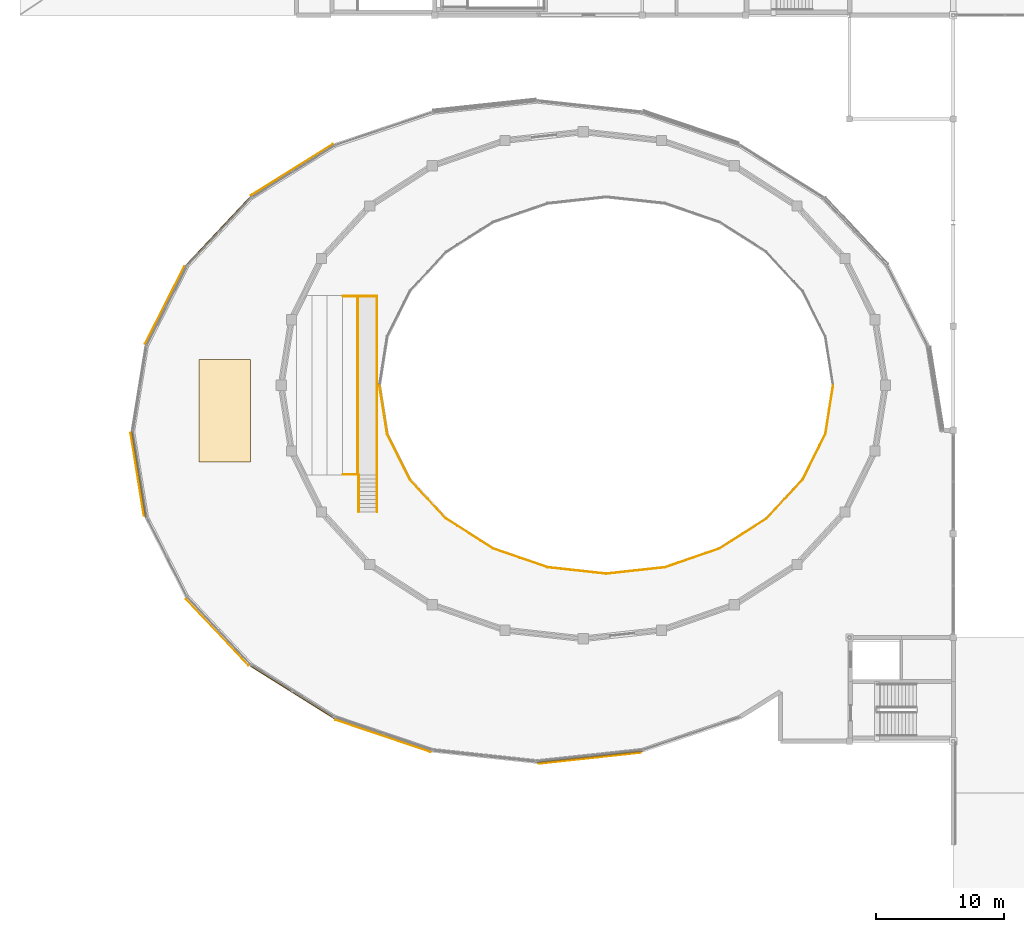
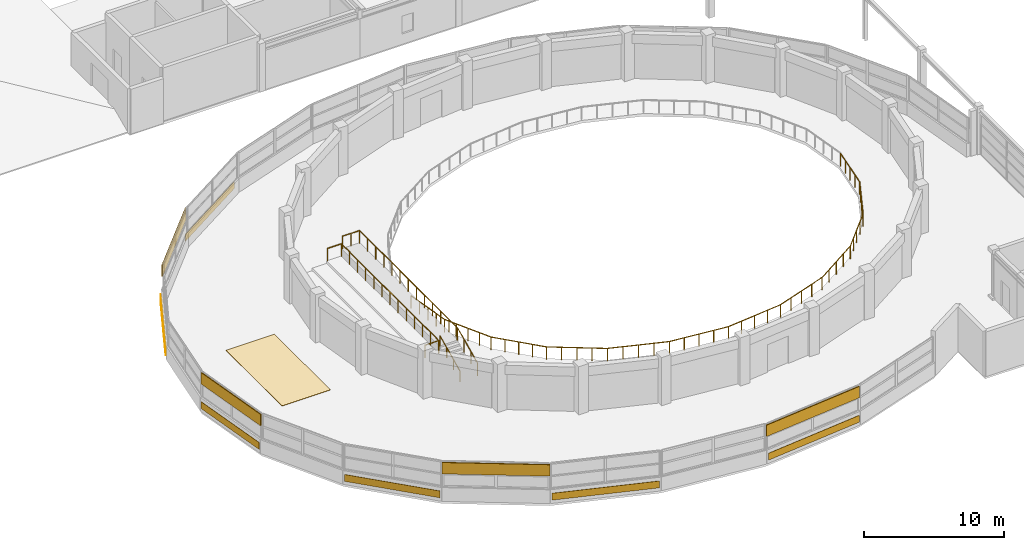
# One storey, part 47 of 54: 7 coverings, 5 railings, 4 shading devices.
"""IFC4 building model written with IfcOpenShell, lengths in metres."""

import ifcopenshell
import ifcopenshell.guid

model = None  # the IFC model being written
_history = None  # IfcOwnerHistory: only IFC2X3 demands one
_inside = {}  # id of a spatial element -> (the spatial element, [elements in it])
_under = {}  # id of a project, library or spatial element -> (it, [spatial elements below it])
_declared = {}  # id of a project -> (the project, [libraries it declares])
_typed = {}  # id of a type object -> (the type object, [elements of that type])
_made_of = {}  # id of a material, layer set ... -> (it, [elements and type objects made of it])


def new_model(schema):
    """Start an empty IFC model of exactly this schema.

    Asked for "IFC4X3", IfcOpenShell would pick the latest addendum, in which some entities
    have other attributes; the version numbers below select the first issue.
    IFC2X3 requires an IfcOwnerHistory on every rooted entity: one is made here for all.
    """
    global model, _history
    if schema == "IFC4X3":
        model = ifcopenshell.file(schema_version=(4, 3, 0, 0))
    else:
        model = ifcopenshell.file(schema=schema)
    _inside.clear()
    _under.clear()
    _declared.clear()
    _typed.clear()
    _made_of.clear()
    _history = None
    if model.schema == "IFC2X3":
        org = make("IfcOrganization", Name="unknown")
        user = make(
            "IfcPersonAndOrganization",
            ThePerson=make("IfcPerson", FamilyName="unknown"),
            TheOrganization=org,
        )
        app = make(
            "IfcApplication",
            ApplicationDeveloper=org,
            Version="unknown",
            ApplicationFullName="unknown",
            ApplicationIdentifier="unknown",
        )
        _history = make(
            "IfcOwnerHistory",
            OwningUser=user,
            OwningApplication=app,
            ChangeAction="ADDED",
            CreationDate=0,
        )
    return model


def make(cls, **values):
    """One entity of the class cls with the attributes given. An attribute that is None is left unset."""
    return model.create_entity(
        cls, **{name: value for name, value in values.items() if value is not None}
    )


def rooted(cls, **values):
    """An entity with a GlobalId (a new one), such as an element, a storey or a relation."""
    return make(cls, GlobalId=ifcopenshell.guid.new(), OwnerHistory=_history, **values)


def si_unit(unit_type, name, prefix=None):
    """IfcSIUnit, for example si_unit("LENGTHUNIT", "METRE", prefix="MILLI")."""
    return make("IfcSIUnit", UnitType=unit_type, Prefix=prefix, Name=name)


def assignment(units):
    """IfcUnitAssignment: the units of a project."""
    return None if units is None else make("IfcUnitAssignment", Units=units)


def point(xyz):
    """IfcCartesianPoint."""
    return None if xyz is None else make("IfcCartesianPoint", Coordinates=xyz)


def direction(xyz):
    """IfcDirection."""
    return None if xyz is None else make("IfcDirection", DirectionRatios=xyz)


def frame(location, z_axis=None, x_axis=None):
    """IfcAxis2Placement3D, a coordinate frame: its origin and axes. An axis left out is left unset."""
    return make(
        "IfcAxis2Placement3D",
        Location=point(location),
        Axis=direction(z_axis),
        RefDirection=direction(x_axis),
    )


def frame_2d(location, x_axis=None):
    """IfcAxis2Placement2D, a coordinate frame in the plane: its origin and x axis."""
    return make(
        "IfcAxis2Placement2D", Location=point(location), RefDirection=direction(x_axis)
    )


def origin():
    """The frame at (0, 0, 0) with its axes left unset."""
    return frame((0.0, 0.0, 0.0))


def origin_2d():
    """The frame at (0, 0) in the plane with its x axis left unset."""
    return frame_2d((0.0, 0.0))


def place(relative_to, where):
    """IfcLocalPlacement: puts the frame where relative to a parent placement (None: the world)."""
    return make(
        "IfcLocalPlacement", PlacementRelTo=relative_to, RelativePlacement=where
    )


def context(
    kind, dimensions, precision=None, world=None, true_north=None, identifier=None
):
    """IfcGeometricRepresentationContext, for example the 3D "Model" context."""
    return make(
        "IfcGeometricRepresentationContext",
        ContextIdentifier=identifier,
        ContextType=kind,
        CoordinateSpaceDimension=dimensions,
        Precision=precision,
        WorldCoordinateSystem=world,
        TrueNorth=true_north,
    )


def subcontext(parent, identifier, kind, view, scale=None):
    """IfcGeometricRepresentationSubContext, for example "Body" below "Model"."""
    return make(
        "IfcGeometricRepresentationSubContext",
        ContextIdentifier=identifier,
        ContextType=kind,
        ParentContext=parent,
        TargetScale=scale,
        TargetView=view,
    )


def project(units=None, contexts=None):
    """IfcProject with its units and contexts."""
    return rooted(
        "IfcProject",
        Name="project",
        RepresentationContexts=contexts,
        UnitsInContext=assignment(units),
    )


def spatial(cls, under=None, at=None, **own):
    """A site, building, storey or space (cls), placed at a placement, below another one or the project."""
    s = rooted(cls, ObjectPlacement=at, **own)
    if under is not None:
        _under.setdefault(under.id(), (under, []))[1].append(s)
    return s


def profile(cls, at=None, kind="AREA", **sizes):
    """A parametric profile (cls). Its sizes go by their IFC names, for example OverallWidth=200.0."""
    return make(cls, ProfileType=kind, Position=at, **sizes)


def rectangle(**sizes):
    """IfcRectangleProfileDef."""
    return profile("IfcRectangleProfileDef", **sizes)


def circle(**sizes):
    """IfcCircleProfileDef."""
    return profile("IfcCircleProfileDef", **sizes)


def extrude(swept, where, along, depth):
    """IfcExtrudedAreaSolid: the profile swept, set in the frame where, extruded along a direction by depth."""
    return make(
        "IfcExtrudedAreaSolid",
        SweptArea=swept,
        Position=where,
        ExtrudedDirection=direction(along),
        Depth=depth,
    )


def shape(context_of_items, identifier, shape_type, items):
    """IfcShapeRepresentation: the items that make up one representation, for example the "Body"."""
    return make(
        "IfcShapeRepresentation",
        ContextOfItems=context_of_items,
        RepresentationIdentifier=identifier,
        RepresentationType=shape_type,
        Items=items,
    )


def material(Name=None, Category=None):
    """IfcMaterial."""
    return make("IfcMaterial", Name=Name, Category=Category)


def layer(
    of_material, thickness, ventilated=None, Name=None, Category=None, Priority=None
):
    """IfcMaterialLayer: one layer of a wall or slab, of a material (None: an air gap)."""
    return make(
        "IfcMaterialLayer",
        Material=of_material,
        LayerThickness=thickness,
        IsVentilated=ventilated,
        Name=Name,
        Category=Category,
        Priority=Priority,
    )


def layer_set(layers, Name=None):
    """IfcMaterialLayerSet."""
    return make("IfcMaterialLayerSet", MaterialLayers=layers, LayerSetName=Name)


def made_of(thing, what):
    """Note that an element or type object is made of a material, layer set ...; save() writes the relation."""
    if what is not None:
        _made_of.setdefault(what.id(), (what, []))[1].append(thing)
    return thing


def type_object(cls, material=None, **own):
    """A type object (cls), such as IfcWallType, which elements share."""
    return made_of(rooted(cls, **own), material)


def element(
    cls,
    number,
    at=None,
    inside=None,
    cuts=None,
    type_object=None,
    material=None,
    context=None,
    identifier="Body",
    shape_type=None,
    held_by="IfcProductDefinitionShape",
    body=None,
    shapes=None,
    **own,
):
    """One element of the class cls, such as IfcWall. Its Tag is "e" and its number.

    at: its placement. inside: the storey or other place that contains it. cuts: it is an
    opening in that element (IfcRelVoidsElement). A single representation is given by context,
    identifier, shape_type and body (its items); several are given by shapes. held_by: the class
    of the entity that holds the representations. save() writes the other relations.
    """
    e = rooted(cls, Tag="e%d" % number, ObjectPlacement=at, **own)
    if body is not None:
        shapes = [shape(context, identifier, shape_type, body)]
    if shapes is not None:
        e.Representation = make(held_by, Representations=shapes)
    if inside is not None:
        _inside.setdefault(inside.id(), (inside, []))[1].append(e)
    if cuts is not None:
        rooted(
            "IfcRelVoidsElement", RelatingBuildingElement=cuts, RelatedOpeningElement=e
        )
    if type_object is not None:
        _typed.setdefault(type_object.id(), (type_object, []))[1].append(e)
    return made_of(e, material)


def aggregate(whole, parts):
    """IfcRelAggregates: a whole, such as a stair, and the parts it consists of."""
    return rooted("IfcRelAggregates", RelatingObject=whole, RelatedObjects=parts)


def save(model, path):
    """Write the relations noted so far, then the file.

    IfcRelAggregates (storeys below a building ...), IfcRelContainedInSpatialStructure (elements
    in a storey), IfcRelDefinesByType, IfcRelAssociatesMaterial and IfcRelDeclares: one each for
    every whole, place, type object, material and project.
    """
    for whole, parts in _under.values():
        aggregate(whole, parts)
    for where, things in _inside.values():
        rooted(
            "IfcRelContainedInSpatialStructure",
            RelatedElements=things,
            RelatingStructure=where,
        )
    for kind, things in _typed.values():
        rooted("IfcRelDefinesByType", RelatedObjects=things, RelatingType=kind)
    for what, things in _made_of.values():
        rooted("IfcRelAssociatesMaterial", RelatedObjects=things, RelatingMaterial=what)
    for by, libraries in _declared.values():
        rooted("IfcRelDeclares", RelatingContext=by, RelatedDefinitions=libraries)
    model.write(path)


model = new_model("IFC4")

# Units and contexts
model_context = context("Model", 3, precision=1e-05, world=origin(), true_north=direction((0.0, 1.0)))
body_context = subcontext(model_context, "Body", "Model", "MODEL_VIEW")
ifc_project = project(units=[si_unit("LENGTHUNIT", "METRE"), si_unit("AREAUNIT", "SQUARE_METRE"), si_unit("VOLUMEUNIT", "CUBIC_METRE"), si_unit("PLANEANGLEUNIT", "RADIAN"), si_unit("MASSUNIT", "GRAM", prefix="KILO")], contexts=[model_context])

# Site, building, storey
site_placement = place(None, origin())
site = spatial("IfcSite", under=ifc_project, at=site_placement, CompositionType="ELEMENT")
building_placement = place(site_placement, origin())
building = spatial("IfcBuilding", under=site, at=building_placement, Name="Parian Resonance Hall", CompositionType="ELEMENT")
storey_placement = place(building_placement, frame((0.0, 0.0, 15.0)))
storey = spatial("IfcBuildingStorey", under=building, at=storey_placement, Name="L03", CompositionType="ELEMENT", Elevation=15.0)

# Coverings
ifc_material_1 = material(Name="Cebu marble-chip lime terrazzo flooring", Category="masonry")
ifc_layer_1 = layer(ifc_material_1, 0.030029296875)
ifc_layer_set_1 = layer_set([ifc_layer_1], Name="Cebu marble-chip lime terrazzo flooring")
covering_type_1 = type_object("IfcCoveringType", Name="COV-FLOOR-TERRAZZO", PredefinedType="FLOORING", material=ifc_layer_set_1)
covering_1_placement = place(storey_placement, frame((16.0, 42.0, 0.0), z_axis=(0.0, 0.0, 1.0), x_axis=(1.0, 0.0, 0.0)))
element("IfcCovering", 1, at=covering_1_placement, inside=storey, type_object=covering_type_1, Name="Ring 3 Panorama Foyer terrazzo flooring", PredefinedType="FLOORING", context=body_context, shape_type="SweptSolid", body=[
    extrude(rectangle(XDim=4.0, YDim=8.0, at=origin_2d()), origin(), (0.0, 0.0, 1.0), 0.030029296875),
])
ifc_material_2 = material(Name="Polychrome trencadis ceramic mosaic cladding")
ifc_layer_2 = layer(ifc_material_2, 0.030029296875)
ifc_layer_set_2 = layer_set([ifc_layer_2], Name="Polychrome trencadis ceramic mosaic cladding")
covering_type_2 = type_object("IfcCoveringType", Name="COV-MOSAIC-CLAD", PredefinedType="CLADDING", material=ifc_layer_set_2)
covering_2_placement = place(storey_placement, frame((21.2353515625, 60.8408203125, 0.300048828125), z_axis=(0.0, 0.0, 1.0), x_axis=(0.847431550903, 0.530904668029, 0.0)))
element("IfcCovering", 2, at=covering_2_placement, inside=storey, type_object=covering_type_2, Name="Polychrome ceramic mosaic frieze L03-065", PredefinedType="CLADDING", context=body_context, shape_type="SweptSolid", body=[
    extrude(rectangle(XDim=7.52294921875, YDim=0.030029296875, at=origin_2d()), origin(), (0.0, 0.0, 1.0), 0.60009765625),
])
covering_3_placement = place(storey_placement, frame((11.300048828125, 50.267578125, 0.300048828125), z_axis=(0.0, 0.0, 1.0), x_axis=(0.452439378747, 0.89179516065, 0.0)))
element("IfcCovering", 3, at=covering_3_placement, inside=storey, type_object=covering_type_2, Name="Polychrome ceramic mosaic frieze L03-066", PredefinedType="CLADDING", context=body_context, shape_type="SweptSolid", body=[
    extrude(rectangle(XDim=6.777587890625, YDim=0.030029296875, at=origin_2d()), origin(), (0.0, 0.0, 1.0), 0.60009765625),
])
covering_4_placement = place(storey_placement, frame((9.16650390625, 37.03369140625, 0.300048828125), z_axis=(0.0, 0.0, 1.0), x_axis=(-0.159186828447, 0.987248476144, 0.0)))
element("IfcCovering", 4, at=covering_4_placement, inside=storey, type_object=covering_type_2, Name="Polychrome ceramic mosaic frieze L03-067", PredefinedType="CLADDING", context=body_context, shape_type="SweptSolid", body=[
    extrude(rectangle(XDim=6.563720703125, YDim=0.030029296875, at=origin_2d()), origin(), (0.0, 0.0, 1.0), 0.60009765625),
])
covering_5_placement = place(storey_placement, frame((15.417724609375, 24.708984375, 0.300048828125), z_axis=(0.0, 0.0, 1.0), x_axis=(-0.684838405716, 0.728694969144, 0.0)))
element("IfcCovering", 5, at=covering_5_placement, inside=storey, type_object=covering_type_2, Name="Polychrome ceramic mosaic frieze L03-068", PredefinedType="CLADDING", context=body_context, shape_type="SweptSolid", body=[
    extrude(rectangle(XDim=7.1328125, YDim=0.030029296875, at=origin_2d()), origin(), (0.0, 0.0, 1.0), 0.60009765625),
])
covering_6_placement = place(storey_placement, frame((28.35498046875, 16.60302734375, 0.300048828125), z_axis=(0.0, 0.0, 1.0), x_axis=(-0.947295858984, 0.320360040505, 0.0)))
element("IfcCovering", 6, at=covering_6_placement, inside=storey, type_object=covering_type_2, Name="Polychrome ceramic mosaic frieze L03-069", PredefinedType="CLADDING", context=body_context, shape_type="SweptSolid", body=[
    extrude(rectangle(XDim=7.84521484375, YDim=0.030029296875, at=origin_2d()), origin(), (0.0, 0.0, 1.0), 0.60009765625),
])
covering_7_placement = place(storey_placement, frame((44.5078125, 14.866455078125, 0.300048828125), z_axis=(0.0, 0.0, 1.0), x_axis=(-0.994272845588, -0.106871457957, 0.0)))
element("IfcCovering", 7, at=covering_7_placement, inside=storey, type_object=covering_type_2, Name="Polychrome ceramic mosaic frieze L03-070", PredefinedType="CLADDING", context=body_context, shape_type="SweptSolid", body=[
    extrude(rectangle(XDim=8.02587890625, YDim=0.030029296875, at=origin_2d()), origin(), (0.0, 0.0, 1.0), 0.60009765625),
])

# Railings
ifc_material_3 = material(Name="Patinated bronze whiplash metalwork")
railing_type_1 = type_object("IfcRailingType", Name="RAIL-HALL-BAL-1120", PredefinedType="BALUSTRADE", material=ifc_material_3)
railing_1_placement = place(storey_placement, frame((27.8798828125, 37.0400390625, 1.5)))
element("IfcRailing", 8, at=railing_1_placement, inside=storey, type_object=railing_type_1, Name="Auditorium upper tier balustrade GRD-TIER-L03-DC-E", PredefinedType="BALUSTRADE", context=body_context, shape_type="SweptSolid", body=[
    extrude(circle(Radius=0.02392578125, at=origin_2d()), frame((0.0, 0.0, 1.09619140625), z_axis=(0.0, 1.0, 0.0), x_axis=(-1.0, 0.0, 0.0)), (0.0, 0.0, 1.0), 13.919921875),
    extrude(circle(Radius=0.02392578125, at=origin_2d()), frame((0.0, 13.919921875, 1.09619140625), z_axis=(-1.0, 0.0, 0.0), x_axis=(0.0, -1.0, 0.0)), (0.0, 0.0, 1.0), 1.419921875),
    extrude(circle(Radius=0.02099609375, at=origin_2d()), origin(), (0.0, 0.0, 1.0), 1.072021484375),
    extrude(circle(Radius=0.02099609375, at=origin_2d()), frame((0.0, 1.159912109375, 0.0)), (0.0, 0.0, 1.0), 1.072021484375),
    extrude(circle(Radius=0.02099609375, at=origin_2d()), frame((0.0, 2.320068359375, 0.0)), (0.0, 0.0, 1.0), 1.072021484375),
    extrude(circle(Radius=0.02099609375, at=origin_2d()), frame((0.0, 3.47998046875, 0.0)), (0.0, 0.0, 1.0), 1.072021484375),
    extrude(circle(Radius=0.02099609375, at=origin_2d()), frame((0.0, 4.639892578125, 0.0)), (0.0, 0.0, 1.0), 1.072021484375),
    extrude(circle(Radius=0.02099609375, at=origin_2d()), frame((0.0, 5.800048828125, 0.0)), (0.0, 0.0, 1.0), 1.072021484375),
    extrude(circle(Radius=0.02099609375, at=origin_2d()), frame((0.0, 6.9599609375, 0.0)), (0.0, 0.0, 1.0), 1.072021484375),
    extrude(circle(Radius=0.02099609375, at=origin_2d()), frame((0.0, 8.119873046875, 0.0)), (0.0, 0.0, 1.0), 1.072021484375),
    extrude(circle(Radius=0.02099609375, at=origin_2d()), frame((0.0, 9.280029296875, 0.0)), (0.0, 0.0, 1.0), 1.072021484375),
    extrude(circle(Radius=0.02099609375, at=origin_2d()), frame((0.0, 10.43994140625, 0.0)), (0.0, 0.0, 1.0), 1.072021484375),
    extrude(circle(Radius=0.02099609375, at=origin_2d()), frame((0.0, 11.599853515625, 0.0)), (0.0, 0.0, 1.0), 1.072021484375),
    extrude(circle(Radius=0.02099609375, at=origin_2d()), frame((0.0, 12.760009765625, 0.0)), (0.0, 0.0, 1.0), 1.072021484375),
    extrude(circle(Radius=0.02099609375, at=origin_2d()), frame((0.0, 13.919921875, 0.0)), (0.0, 0.0, 1.0), 1.072021484375),
    extrude(circle(Radius=0.02099609375, at=origin_2d()), frame((-0.7099609375, 13.919921875, 0.0)), (0.0, 0.0, 1.0), 1.072021484375),
    extrude(circle(Radius=0.02099609375, at=origin_2d()), frame((-1.419921875, 13.919921875, 0.0)), (0.0, 0.0, 1.0), 1.072021484375),
])
railing_2_placement = place(storey_placement, frame((25.239990234375, 37.0400390625, 0.8701171875)))
element("IfcRailing", 9, at=railing_2_placement, inside=storey, type_object=railing_type_1, Name="Auditorium upper tier balustrade GRD-TIER-L03-DC-4", PredefinedType="BALUSTRADE", context=body_context, shape_type="SweptSolid", body=[
    extrude(circle(Radius=0.02392578125, at=origin_2d()), frame((0.0, 0.0, 1.09619140625), z_axis=(1.0, 0.0, 0.0), x_axis=(0.0, 1.0, 0.0)), (0.0, 0.0, 1.0), 1.139892578125),
    extrude(circle(Radius=0.02392578125, at=origin_2d()), frame((1.139892578125, 0.0, 1.09619140625), z_axis=(0.0, 1.0, 0.0), x_axis=(-1.0, 0.0, 0.0)), (0.0, 0.0, 1.0), 13.919921875),
    extrude(circle(Radius=0.02392578125, at=origin_2d()), frame((1.139892578125, 13.919921875, 1.09619140625), z_axis=(-1.0, 0.0, 0.0), x_axis=(0.0, -1.0, 0.0)), (0.0, 0.0, 1.0), 1.139892578125),
    extrude(circle(Radius=0.02099609375, at=origin_2d()), origin(), (0.0, 0.0, 1.0), 1.072021484375),
    extrude(circle(Radius=0.02099609375, at=origin_2d()), frame((1.139892578125, 0.0, 0.0)), (0.0, 0.0, 1.0), 1.072021484375),
    extrude(circle(Radius=0.02099609375, at=origin_2d()), frame((1.139892578125, 1.159912109375, 0.0)), (0.0, 0.0, 1.0), 1.072021484375),
    extrude(circle(Radius=0.02099609375, at=origin_2d()), frame((1.139892578125, 2.320068359375, 0.0)), (0.0, 0.0, 1.0), 1.072021484375),
    extrude(circle(Radius=0.02099609375, at=origin_2d()), frame((1.139892578125, 3.47998046875, 0.0)), (0.0, 0.0, 1.0), 1.072021484375),
    extrude(circle(Radius=0.02099609375, at=origin_2d()), frame((1.139892578125, 4.639892578125, 0.0)), (0.0, 0.0, 1.0), 1.072021484375),
    extrude(circle(Radius=0.02099609375, at=origin_2d()), frame((1.139892578125, 5.800048828125, 0.0)), (0.0, 0.0, 1.0), 1.072021484375),
    extrude(circle(Radius=0.02099609375, at=origin_2d()), frame((1.139892578125, 6.9599609375, 0.0)), (0.0, 0.0, 1.0), 1.072021484375),
    extrude(circle(Radius=0.02099609375, at=origin_2d()), frame((1.139892578125, 8.119873046875, 0.0)), (0.0, 0.0, 1.0), 1.072021484375),
    extrude(circle(Radius=0.02099609375, at=origin_2d()), frame((1.139892578125, 9.280029296875, 0.0)), (0.0, 0.0, 1.0), 1.072021484375),
    extrude(circle(Radius=0.02099609375, at=origin_2d()), frame((1.139892578125, 10.43994140625, 0.0)), (0.0, 0.0, 1.0), 1.072021484375),
    extrude(circle(Radius=0.02099609375, at=origin_2d()), frame((1.139892578125, 11.599853515625, 0.0)), (0.0, 0.0, 1.0), 1.072021484375),
    extrude(circle(Radius=0.02099609375, at=origin_2d()), frame((1.139892578125, 12.760009765625, 0.0)), (0.0, 0.0, 1.0), 1.072021484375),
    extrude(circle(Radius=0.02099609375, at=origin_2d()), frame((1.139892578125, 13.919921875, 0.0)), (0.0, 0.0, 1.0), 1.072021484375),
    extrude(circle(Radius=0.02099609375, at=origin_2d()), frame((0.0, 13.919921875, 0.0)), (0.0, 0.0, 1.0), 1.072021484375),
])
railing_3_placement = place(storey_placement, frame((28.08935546875, 43.940673828125, 0.0)))
element("IfcRailing", 10, at=railing_3_placement, inside=storey, type_object=railing_type_1, Name="Main Concert Hall L03 south-east bronze balustrade", PredefinedType="BALUSTRADE", context=body_context, shape_type="SweptSolid", body=[
    extrude(circle(Radius=0.02392578125, at=origin_2d()), frame((0.0, 0.0, 1.09619140625), z_axis=(0.15655352011, -0.987669476769, 0.0), x_axis=(0.987669476769, 0.15655352011, 0.0)), (0.0, 0.0, 1.0), 3.79736328125),
    extrude(circle(Radius=0.02392578125, at=origin_2d()), frame((0.594482421875, -3.75048828125, 1.09619140625), z_axis=(0.446228679788, -0.894918971379, 0.0), x_axis=(0.894918971379, 0.446228679788, 0.0)), (0.0, 0.0, 1.0), 3.96728515625),
    extrude(circle(Radius=0.02392578125, at=origin_2d()), frame((2.36474609375, -7.30078125, 1.09619140625), z_axis=(0.678519512665, -0.734582378589, 0.0), x_axis=(0.734582378589, 0.678519512665, 0.0)), (0.0, 0.0, 1.0), 4.150146484375),
    extrude(circle(Radius=0.02392578125, at=origin_2d()), frame((5.1806640625, -10.349365234375, 1.09619140625), z_axis=(0.843275508955, -0.537481549448, 0.0), x_axis=(0.537481549448, 0.843275508955, 0.0)), (0.0, 0.0, 1.0), 4.35205078125),
    extrude(circle(Radius=0.02392578125, at=origin_2d()), frame((8.8505859375, -12.6884765625, 1.09619140625), z_axis=(0.945576009301, -0.325401307057, 0.0), x_axis=(0.325401307057, 0.945576009301, 0.0)), (0.0, 0.0, 1.0), 4.519775390625),
    extrude(circle(Radius=0.02392578125, at=origin_2d()), frame((13.124267578125, -14.1591796875, 1.09619140625), z_axis=(0.994075801751, -0.108689007601, 0.0), x_axis=(0.108689007601, 0.994075801751, 0.0)), (0.0, 0.0, 1.0), 4.61376953125),
    extrude(circle(Radius=0.02392578125, at=origin_2d()), frame((17.710693359375, -14.66064453125, 1.09619140625), z_axis=(0.994075176592, 0.108694725191, 0.0), x_axis=(-0.108694725191, 0.994075176592, 0.0)), (0.0, 0.0, 1.0), 4.613525390625),
    extrude(circle(Radius=0.02392578125, at=origin_2d()), frame((22.296875, -14.1591796875, 1.09619140625), z_axis=(0.945576009301, 0.325401307057, 0.0), x_axis=(-0.325401307057, 0.945576009301, 0.0)), (0.0, 0.0, 1.0), 4.519775390625),
    extrude(circle(Radius=0.02392578125, at=origin_2d()), frame((26.570556640625, -12.6884765625, 1.09619140625), z_axis=(0.843275508955, 0.537481549448, 0.0), x_axis=(-0.537481549448, 0.843275508955, 0.0)), (0.0, 0.0, 1.0), 4.35205078125),
    extrude(circle(Radius=0.02392578125, at=origin_2d()), frame((30.240478515625, -10.349365234375, 1.09619140625), z_axis=(0.678551254892, 0.734553057637, 0.0), x_axis=(-0.734553057637, 0.678551254892, 0.0)), (0.0, 0.0, 1.0), 4.150146484375),
    extrude(circle(Radius=0.02392578125, at=origin_2d()), frame((33.056640625, -7.30078125, 1.09619140625), z_axis=(0.446228679788, 0.894918971379, 0.0), x_axis=(-0.894918971379, 0.446228679788, 0.0)), (0.0, 0.0, 1.0), 3.96728515625),
    extrude(circle(Radius=0.02392578125, at=origin_2d()), frame((34.826904296875, -3.75048828125, 1.09619140625), z_axis=(0.156490801895, 0.987679416067, 0.0), x_axis=(-0.987679416067, 0.156490801895, 0.0)), (0.0, 0.0, 1.0), 3.79736328125),
    extrude(circle(Radius=0.02099609375, at=origin_2d()), origin(), (0.0, 0.0, 1.0), 1.072021484375),
    extrude(circle(Radius=0.02099609375, at=origin_2d()), frame((0.148681640625, -0.9375, 0.0)), (0.0, 0.0, 1.0), 1.072021484375),
    extrude(circle(Radius=0.02099609375, at=origin_2d()), frame((0.29736328125, -1.875244140625, 0.0)), (0.0, 0.0, 1.0), 1.072021484375),
    extrude(circle(Radius=0.02099609375, at=origin_2d()), frame((0.44580078125, -2.81298828125, 0.0)), (0.0, 0.0, 1.0), 1.072021484375),
    extrude(circle(Radius=0.02099609375, at=origin_2d()), frame((0.594482421875, -3.75048828125, 0.0)), (0.0, 0.0, 1.0), 1.072021484375),
    extrude(circle(Radius=0.02099609375, at=origin_2d()), frame((1.037109375, -4.63818359375, 0.0)), (0.0, 0.0, 1.0), 1.072021484375),
    extrude(circle(Radius=0.02099609375, at=origin_2d()), frame((1.4794921875, -5.525634765625, 0.0)), (0.0, 0.0, 1.0), 1.072021484375),
    extrude(circle(Radius=0.02099609375, at=origin_2d()), frame((1.922119140625, -6.4130859375, 0.0)), (0.0, 0.0, 1.0), 1.072021484375),
    extrude(circle(Radius=0.02099609375, at=origin_2d()), frame((2.36474609375, -7.30078125, 0.0)), (0.0, 0.0, 1.0), 1.072021484375),
    extrude(circle(Radius=0.02099609375, at=origin_2d()), frame((3.06884765625, -8.06298828125, 0.0)), (0.0, 0.0, 1.0), 1.072021484375),
    extrude(circle(Radius=0.02099609375, at=origin_2d()), frame((3.772705078125, -8.8251953125, 0.0)), (0.0, 0.0, 1.0), 1.072021484375),
    extrude(circle(Radius=0.02099609375, at=origin_2d()), frame((4.4765625, -9.587158203125, 0.0)), (0.0, 0.0, 1.0), 1.072021484375),
    extrude(circle(Radius=0.02099609375, at=origin_2d()), frame((5.1806640625, -10.349365234375, 0.0)), (0.0, 0.0, 1.0), 1.072021484375),
    extrude(circle(Radius=0.02099609375, at=origin_2d()), frame((6.09814453125, -10.93408203125, 0.0)), (0.0, 0.0, 1.0), 1.072021484375),
    extrude(circle(Radius=0.02099609375, at=origin_2d()), frame((7.015625, -11.51904296875, 0.0)), (0.0, 0.0, 1.0), 1.072021484375),
    extrude(circle(Radius=0.02099609375, at=origin_2d()), frame((7.93310546875, -12.103759765625, 0.0)), (0.0, 0.0, 1.0), 1.072021484375),
    extrude(circle(Radius=0.02099609375, at=origin_2d()), frame((8.8505859375, -12.6884765625, 0.0)), (0.0, 0.0, 1.0), 1.072021484375),
    extrude(circle(Radius=0.02099609375, at=origin_2d()), frame((9.9189453125, -13.05615234375, 0.0)), (0.0, 0.0, 1.0), 1.072021484375),
    extrude(circle(Radius=0.02099609375, at=origin_2d()), frame((10.9873046875, -13.423828125, 0.0)), (0.0, 0.0, 1.0), 1.072021484375),
    extrude(circle(Radius=0.02099609375, at=origin_2d()), frame((12.055908203125, -13.79150390625, 0.0)), (0.0, 0.0, 1.0), 1.072021484375),
    extrude(circle(Radius=0.02099609375, at=origin_2d()), frame((13.124267578125, -14.1591796875, 0.0)), (0.0, 0.0, 1.0), 1.072021484375),
    extrude(circle(Radius=0.02099609375, at=origin_2d()), frame((14.27099609375, -14.28466796875, 0.0)), (0.0, 0.0, 1.0), 1.072021484375),
    extrude(circle(Radius=0.02099609375, at=origin_2d()), frame((15.41748046875, -14.409912109375, 0.0)), (0.0, 0.0, 1.0), 1.072021484375),
    extrude(circle(Radius=0.02099609375, at=origin_2d()), frame((16.56396484375, -14.53515625, 0.0)), (0.0, 0.0, 1.0), 1.072021484375),
    extrude(circle(Radius=0.02099609375, at=origin_2d()), frame((17.710693359375, -14.66064453125, 0.0)), (0.0, 0.0, 1.0), 1.072021484375),
    extrude(circle(Radius=0.02099609375, at=origin_2d()), frame((18.857177734375, -14.53515625, 0.0)), (0.0, 0.0, 1.0), 1.072021484375),
    extrude(circle(Radius=0.02099609375, at=origin_2d()), frame((20.00390625, -14.409912109375, 0.0)), (0.0, 0.0, 1.0), 1.072021484375),
    extrude(circle(Radius=0.02099609375, at=origin_2d()), frame((21.150390625, -14.28466796875, 0.0)), (0.0, 0.0, 1.0), 1.072021484375),
    extrude(circle(Radius=0.02099609375, at=origin_2d()), frame((22.296875, -14.1591796875, 0.0)), (0.0, 0.0, 1.0), 1.072021484375),
    extrude(circle(Radius=0.02099609375, at=origin_2d()), frame((23.365234375, -13.79150390625, 0.0)), (0.0, 0.0, 1.0), 1.072021484375),
    extrude(circle(Radius=0.02099609375, at=origin_2d()), frame((24.43359375, -13.423828125, 0.0)), (0.0, 0.0, 1.0), 1.072021484375),
    extrude(circle(Radius=0.02099609375, at=origin_2d()), frame((25.502197265625, -13.05615234375, 0.0)), (0.0, 0.0, 1.0), 1.072021484375),
    extrude(circle(Radius=0.02099609375, at=origin_2d()), frame((26.570556640625, -12.6884765625, 0.0)), (0.0, 0.0, 1.0), 1.072021484375),
    extrude(circle(Radius=0.02099609375, at=origin_2d()), frame((27.488037109375, -12.103759765625, 0.0)), (0.0, 0.0, 1.0), 1.072021484375),
    extrude(circle(Radius=0.02099609375, at=origin_2d()), frame((28.405517578125, -11.51904296875, 0.0)), (0.0, 0.0, 1.0), 1.072021484375),
    extrude(circle(Radius=0.02099609375, at=origin_2d()), frame((29.322998046875, -10.93408203125, 0.0)), (0.0, 0.0, 1.0), 1.072021484375),
    extrude(circle(Radius=0.02099609375, at=origin_2d()), frame((30.240478515625, -10.349365234375, 0.0)), (0.0, 0.0, 1.0), 1.072021484375),
    extrude(circle(Radius=0.02099609375, at=origin_2d()), frame((30.944580078125, -9.587158203125, 0.0)), (0.0, 0.0, 1.0), 1.072021484375),
    extrude(circle(Radius=0.02099609375, at=origin_2d()), frame((31.6484375, -8.8251953125, 0.0)), (0.0, 0.0, 1.0), 1.072021484375),
    extrude(circle(Radius=0.02099609375, at=origin_2d()), frame((32.3525390625, -8.06298828125, 0.0)), (0.0, 0.0, 1.0), 1.072021484375),
    extrude(circle(Radius=0.02099609375, at=origin_2d()), frame((33.056640625, -7.30078125, 0.0)), (0.0, 0.0, 1.0), 1.072021484375),
    extrude(circle(Radius=0.02099609375, at=origin_2d()), frame((33.499267578125, -6.4130859375, 0.0)), (0.0, 0.0, 1.0), 1.072021484375),
    extrude(circle(Radius=0.02099609375, at=origin_2d()), frame((33.94189453125, -5.525634765625, 0.0)), (0.0, 0.0, 1.0), 1.072021484375),
    extrude(circle(Radius=0.02099609375, at=origin_2d()), frame((34.38427734375, -4.63818359375, 0.0)), (0.0, 0.0, 1.0), 1.072021484375),
    extrude(circle(Radius=0.02099609375, at=origin_2d()), frame((34.826904296875, -3.75048828125, 0.0)), (0.0, 0.0, 1.0), 1.072021484375),
    extrude(circle(Radius=0.02099609375, at=origin_2d()), frame((34.9755859375, -2.81298828125, 0.0)), (0.0, 0.0, 1.0), 1.072021484375),
    extrude(circle(Radius=0.02099609375, at=origin_2d()), frame((35.1240234375, -1.875244140625, 0.0)), (0.0, 0.0, 1.0), 1.072021484375),
    extrude(circle(Radius=0.02099609375, at=origin_2d()), frame((35.2724609375, -0.9375, 0.0)), (0.0, 0.0, 1.0), 1.072021484375),
    extrude(circle(Radius=0.02099609375, at=origin_2d()), frame((35.421142578125, 0.0, 0.0)), (0.0, 0.0, 1.0), 1.072021484375),
])
ifc_material_4 = material(Name="Patinated bronze whiplash metalwork")
railing_type_2 = type_object("IfcRailingType", Name="RAIL-STAIR-GRD-1100", PredefinedType="GUARDRAIL", material=ifc_material_4)
railing_4_placement = place(storey_placement, frame((27.89990234375, 34.1201171875, 0.14990234375)))
element("IfcRailing", 11, at=railing_4_placement, inside=storey, type_object=railing_type_2, Name="Auditorium aisle guard ST-T06", PredefinedType="GUARDRAIL", context=body_context, shape_type="SweptSolid", body=[
    extrude(circle(Radius=0.02392578125, at=origin_2d()), frame((0.0, 0.0, 1.076171875), z_axis=(0.0, 0.905440498372, 0.424473207528), x_axis=(-1.0, 0.0, 0.0)), (0.0, 0.0, 1.0), 3.1806640625),
    extrude(circle(Radius=0.02099609375, at=origin_2d()), origin(), (0.0, 0.0, 1.0), 1.052001953125),
    extrude(circle(Radius=0.02099609375, at=origin_2d()), frame((0.0, 0.9599609375, 0.449951171875)), (0.0, 0.0, 1.0), 1.052001953125),
    extrude(circle(Radius=0.02099609375, at=origin_2d()), frame((0.0, 1.919921875, 0.900146484375)), (0.0, 0.0, 1.0), 1.052001953125),
    extrude(circle(Radius=0.02099609375, at=origin_2d()), frame((0.0, 2.8798828125, 1.35009765625)), (0.0, 0.0, 1.0), 1.052001953125),
])
ifc_material_5 = material(Name="Patinated bronze whiplash metalwork")
railing_type_3 = type_object("IfcRailingType", Name="RAIL-STAIR-HR-900", PredefinedType="HANDRAIL", material=ifc_material_5)
railing_5_placement = place(storey_placement, frame((26.4599609375, 34.1201171875, 0.14990234375)))
element("IfcRailing", 12, at=railing_5_placement, inside=storey, type_object=railing_type_3, Name="Auditorium aisle handrail ST-T06", PredefinedType="HANDRAIL", context=body_context, shape_type="SweptSolid", body=[
    extrude(circle(Radius=0.02392578125, at=origin_2d()), frame((0.0, 0.0, 0.8759765625), z_axis=(0.0, 0.905440498372, 0.424473207528), x_axis=(-1.0, 0.0, 0.0)), (0.0, 0.0, 1.0), 3.1806640625),
    extrude(circle(Radius=0.02099609375, at=origin_2d()), origin(), (0.0, 0.0, 1.0), 0.851806640625),
    extrude(circle(Radius=0.02099609375, at=origin_2d()), frame((0.0, 0.9599609375, 0.449951171875)), (0.0, 0.0, 1.0), 0.851806640625),
    extrude(circle(Radius=0.02099609375, at=origin_2d()), frame((0.0, 1.919921875, 0.900146484375)), (0.0, 0.0, 1.0), 0.851806640625),
    extrude(circle(Radius=0.02099609375, at=origin_2d()), frame((0.0, 2.8798828125, 1.35009765625)), (0.0, 0.0, 1.0), 0.851806640625),
])

# Shading devices
ifc_material_6 = material(Name="Patinated bronze persiana louver")
ifc_layer_3 = layer(ifc_material_6, 0.080078125)
ifc_layer_set_3 = layer_set([ifc_layer_3], Name="Patinated bronze persiana louver")
shading_device_type = type_object("IfcShadingDeviceType", Name="SHD-PERSIANA-JAL", PredefinedType="JALOUSIE", material=ifc_layer_set_3)
shading_device_1_placement = place(storey_placement, frame((15.49169921875, 56.021484375, 2.35986328125), z_axis=(0.0, 0.0, 1.0), x_axis=(0.684838405716, 0.728694969144, 0.0)))
element("IfcShadingDevice", 13, at=shading_device_1_placement, inside=storey, type_object=shading_device_type, Name="Bronze persiana storm jalousie L03-004", PredefinedType="JALOUSIE", context=body_context, shape_type="SweptSolid", body=[
    extrude(rectangle(XDim=7.332763671875, YDim=0.080078125, at=origin_2d()), origin(), (0.0, 0.0, 1.0), 0.989990234375),
])
shading_device_2_placement = place(storey_placement, frame((9.271728515625, 37.050537109375, 2.35986328125), z_axis=(0.0, 0.0, 1.0), x_axis=(-0.159186828447, 0.987248476144, 0.0)))
element("IfcShadingDevice", 14, at=shading_device_2_placement, inside=storey, type_object=shading_device_type, Name="Bronze persiana storm jalousie L03-005", PredefinedType="JALOUSIE", context=body_context, shape_type="SweptSolid", body=[
    extrude(rectangle(XDim=6.763671875, YDim=0.080078125, at=origin_2d()), origin(), (0.0, 0.0, 1.0), 0.989990234375),
])
shading_device_3_placement = place(storey_placement, frame((21.289306640625, 20.045166015625, 2.35986328125), z_axis=(0.0, 0.0, 1.0), x_axis=(-0.847431550903, 0.530904668029, 0.0)))
element("IfcShadingDevice", 15, at=shading_device_3_placement, inside=storey, type_object=shading_device_type, Name="Bronze persiana storm jalousie L03-006", PredefinedType="JALOUSIE", context=body_context, shape_type="SweptSolid", body=[
    extrude(rectangle(XDim=7.722900390625, YDim=0.080078125, at=origin_2d()), origin(), (0.0, 0.0, 1.0), 0.989990234375),
])
shading_device_4_placement = place(storey_placement, frame((44.49658203125, 14.972412109375, 2.35986328125), z_axis=(0.0, 0.0, 1.0), x_axis=(-0.994272845588, -0.106871457957, 0.0)))
element("IfcShadingDevice", 16, at=shading_device_4_placement, inside=storey, type_object=shading_device_type, Name="Bronze persiana storm jalousie L03-007", PredefinedType="JALOUSIE", context=body_context, shape_type="SweptSolid", body=[
    extrude(rectangle(XDim=8.225830078125, YDim=0.080078125, at=origin_2d()), origin(), (0.0, 0.0, 1.0), 0.989990234375),
])

save(model, "model.ifc")
